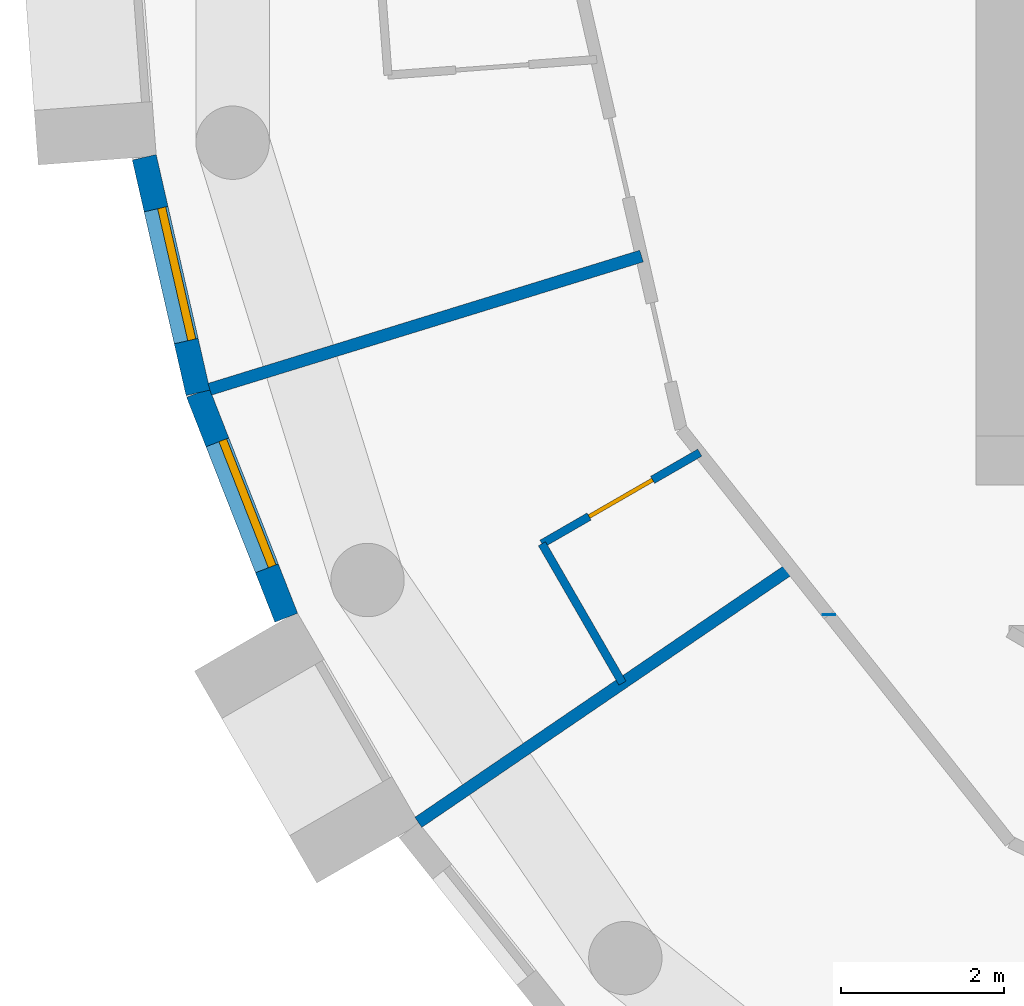
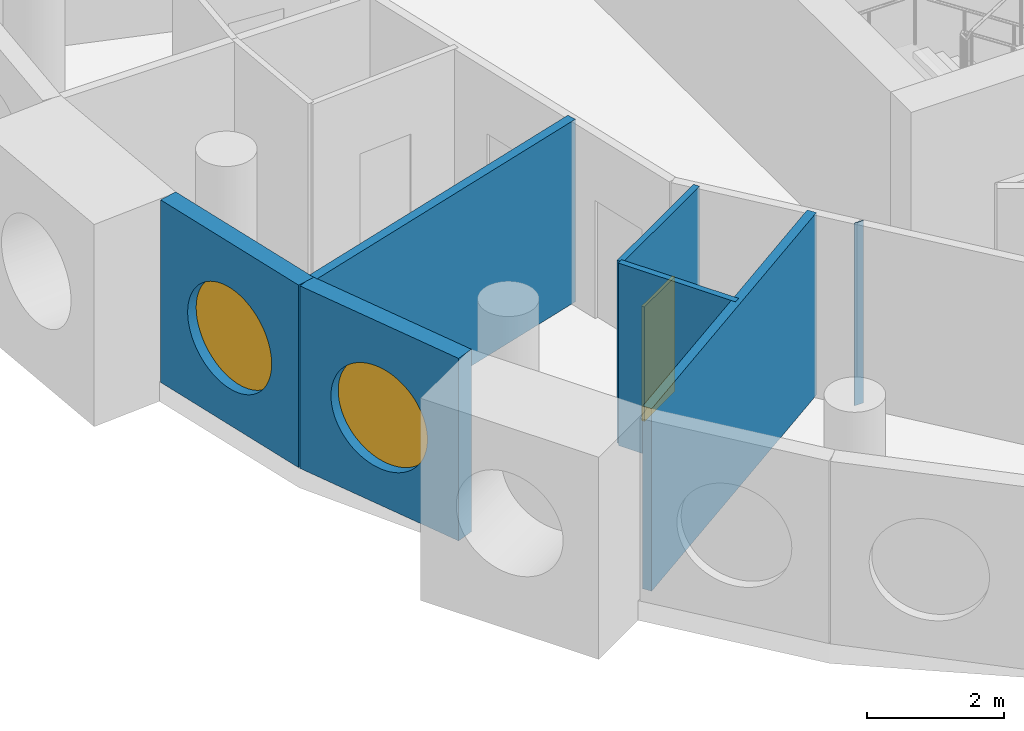
# One storey, part 2 of 12: 7 walls, 2 windows, 1 door, 3 openings.
"""IFC4 building model written with IfcOpenShell, lengths in metres."""

from ifc_helpers import new_model, si_unit, direction, frame, frame_2d, origin, origin_2d, place, context, subcontext, project, spatial, rectangle, circle, extrude, material, layer, layer_set, type_object, element, fill, save


model = new_model("IFC4")

# Units and contexts
model_context = context("Model", 3, precision=1e-05, world=origin(), true_north=direction((0.0, 1.0)))
body_context = subcontext(model_context, "Body", "Model", "MODEL_VIEW")
ifc_project = project(units=[si_unit("LENGTHUNIT", "METRE"), si_unit("AREAUNIT", "SQUARE_METRE"), si_unit("VOLUMEUNIT", "CUBIC_METRE"), si_unit("PLANEANGLEUNIT", "RADIAN"), si_unit("MASSUNIT", "GRAM", prefix="KILO")], contexts=[model_context])

# Site, building, storey
site_placement = place(None, origin())
site = spatial("IfcSite", under=ifc_project, at=site_placement, CompositionType="ELEMENT")
building_placement = place(site_placement, origin())
building = spatial("IfcBuilding", under=site, at=building_placement, Name="Tracery Tower", CompositionType="ELEMENT")
storey_placement = place(building_placement, frame((0.0, 0.0, 312.60009765625)))
storey = spatial("IfcBuildingStorey", under=building, at=storey_placement, Name="L81", CompositionType="ELEMENT", Elevation=312.60009765625)

# Wall, opening, window
ifc_material_1 = material(Name="Precast concrete C50/60", Category="concrete")
ifc_layer_1 = layer(ifc_material_1, 0.300048828125)
ifc_layer_set_1 = layer_set([ifc_layer_1], Name="Facade panel 3000 x 3250")
wall_type_1 = type_object("IfcWallType", Name="Facade panel 3000 x 3250", PredefinedType="SOLIDWALL", material=ifc_layer_set_1)
wall_1_placement = place(storey_placement, frame((-19.69580078125, -2.984130859375, 0.0), z_axis=(0.0, 0.0, 1.0), x_axis=(0.222529389789, -0.974925982155, 0.0)))
wall_1 = element("IfcWall", 1, at=wall_1_placement, inside=storey, type_object=wall_type_1, Name="Facade panel 23 at L81", PredefinedType="SOLIDWALL", context=body_context, shape_type="SweptSolid", body=[
    extrude(rectangle(XDim=2.962158203125, YDim=0.300048828125, at=frame_2d((1.48095703125, 0.0))), origin(), (0.0, 0.0, 1.0), 3.25),
])
opening_1_placement = place(wall_1_placement, frame((1.48095703125, 0.0, 1.5498046875)))
opening_1 = element("IfcOpeningElement", 2, at=opening_1_placement, cuts=wall_1, Name="Opening WN1", PredefinedType="OPENING", context=body_context, shape_type="SweptSolid", body=[
    extrude(circle(Radius=0.9000244140625, at=origin_2d()), frame((0.0, 0.159912109375, 0.0), z_axis=(0.0, -1.0, 0.0), x_axis=(1.0, 0.0, 0.0)), (0.0, 0.0, 1.0), 0.320068359375),
])
ifc_material_2 = material(Name="Aluminium frame with tinted double glazing", Category="aluminium")
window_type = type_object("IfcWindowType", Name="Round window 1800", PartitioningType="SINGLE_PANEL", PredefinedType="WINDOW", material=ifc_material_2)
window_1_placement = place(opening_1_placement, origin())
window_1 = element("IfcWindow", 3, at=window_1_placement, inside=storey, type_object=window_type, Name="Round window 23 at L81", OverallHeight=1.800048828125, OverallWidth=1.800048828125, PartitioningType="SINGLE_PANEL", PredefinedType="WINDOW", context=body_context, shape_type="SweptSolid", body=[
    extrude(circle(Radius=0.9000244140625, at=origin_2d()), frame((0.0, 0.1201171875, 0.0), z_axis=(0.0, -1.0, 0.0), x_axis=(1.0, 0.0, 0.0)), (0.0, 0.0, 1.0), 0.10009765625),
])
fill(opening_1, window_1)

wall_2_placement = place(storey_placement, frame((-19.03662109375, -5.8720703125, 0.0), z_axis=(0.0, 0.0, 1.0), x_axis=(0.36530043032, -0.930889679612, 0.0)))
wall_2 = element("IfcWall", 4, at=wall_2_placement, inside=storey, type_object=wall_type_1, Name="Facade panel 24 at L81", PredefinedType="SOLIDWALL", context=body_context, shape_type="SweptSolid", body=[
    extrude(rectangle(XDim=2.9619140625, YDim=0.300048828125, at=frame_2d((1.48095703125, 0.0))), origin(), (0.0, 0.0, 1.0), 3.25),
])
opening_2_placement = place(wall_2_placement, frame((1.48095703125, 0.0, 1.5498046875)))
opening_2 = element("IfcOpeningElement", 5, at=opening_2_placement, cuts=wall_2, Name="Opening WN1", PredefinedType="OPENING", context=body_context, shape_type="SweptSolid", body=[
    extrude(circle(Radius=0.9000244140625, at=origin_2d()), frame((0.0, 0.159912109375, 0.0), z_axis=(0.0, -1.0, 0.0), x_axis=(1.0, 0.0, 0.0)), (0.0, 0.0, 1.0), 0.320068359375),
])
window_2_placement = place(opening_2_placement, origin())
window_2 = element("IfcWindow", 6, at=window_2_placement, inside=storey, type_object=window_type, Name="Round window 24 at L81", OverallHeight=1.800048828125, OverallWidth=1.800048828125, PartitioningType="SINGLE_PANEL", PredefinedType="WINDOW", context=body_context, shape_type="SweptSolid", body=[
    extrude(circle(Radius=0.9000244140625, at=origin_2d()), frame((0.0, 0.1201171875, 0.0), z_axis=(0.0, -1.0, 0.0), x_axis=(1.0, 0.0, 0.0)), (0.0, 0.0, 1.0), 0.10009765625),
])
fill(opening_2, window_2)

# Wall, opening, door
ifc_material_3 = material(Name="Plasterboard on steel studs", Category="steel")
ifc_layer_2 = layer(ifc_material_3, 0.10009765625)
ifc_layer_set_2 = layer_set([ifc_layer_2], Name="Partition 100 wet wall")
wall_type_2 = type_object("IfcWallType", Name="Partition 100 wet wall", PredefinedType="PARTITIONING", material=ifc_layer_set_2)
wall_3_placement = place(storey_placement, frame((-14.820068359375, -7.721923828125, 0.0), z_axis=(0.0, 0.0, 1.0), x_axis=(0.866076416361, 0.499911633214, 0.0)))
wall_3 = element("IfcWall", 7, at=wall_3_placement, inside=storey, type_object=wall_type_2, Name="Wet wall RC8-082", PredefinedType="PARTITIONING", context=body_context, shape_type="SweptSolid", body=[
    extrude(rectangle(XDim=2.234375, YDim=0.10009765625, at=frame_2d((1.1171875, 0.0))), origin(), (0.0, 0.0, 1.0), 3.25),
])
opening_3_placement = place(wall_3_placement, frame((0.667236328125, 0.0, 0.0)))
opening_3 = element("IfcOpeningElement", 8, at=opening_3_placement, cuts=wall_3, Name="Opening RC8-27", PredefinedType="OPENING", context=body_context, shape_type="SweptSolid", body=[
    extrude(rectangle(XDim=0.89990234375, YDim=2.0400390625, at=frame_2d((0.449951171875, 1.02001953125))), frame((0.0, 0.050048828125, 0.0), z_axis=(0.0, -1.0, 0.0), x_axis=(1.0, 0.0, 0.0)), (0.0, 0.0, 1.0), 0.10009765625),
])
ifc_material_4 = material(Name="Timber door leaf", Category="wood")
door_type = type_object("IfcDoorType", Name="Door en-suite 900", OperationType="NOTDEFINED", PredefinedType="DOOR", material=ifc_material_4)
door_placement = place(opening_3_placement, origin())
door = element("IfcDoor", 9, at=door_placement, inside=storey, type_object=door_type, Name="En-suite door RC8-27", OperationType="SINGLE_SWING_LEFT", OverallHeight=2.0400390625, OverallWidth=0.89990234375, PredefinedType="DOOR", context=body_context, shape_type="SweptSolid", body=[
    extrude(rectangle(XDim=0.89990234375, YDim=2.0400390625, at=frame_2d((0.449951171875, 1.02001953125))), frame((0.0, 0.02490234375, 0.0), z_axis=(0.0, -1.0, 0.0), x_axis=(1.0, 0.0, 0.0)), (0.0, 0.0, 1.0), 0.050048828125),
])
fill(opening_3, door)

# Walls
wall_4_placement = place(storey_placement, frame((-14.820068359375, -7.721923828125, 0.0), z_axis=(0.0, 0.0, 1.0), x_axis=(0.500143626598, -0.865942465048, 0.0)))
element("IfcWall", 10, at=wall_4_placement, inside=storey, type_object=wall_type_2, Name="Wet wall RC8-083", PredefinedType="PARTITIONING", context=body_context, shape_type="SweptSolid", body=[
    extrude(rectangle(XDim=1.9736328125, YDim=0.10009765625, at=frame_2d((0.98681640625, 0.0))), origin(), (0.0, 0.0, 1.0), 3.25),
])
ifc_material_5 = material(Name="Plasterboard on steel studs", Category="steel")
ifc_layer_3 = layer(ifc_material_5, 0.14990234375)
ifc_layer_set_3 = layer_set([ifc_layer_3], Name="Partition 150 acoustic unit wall")
wall_type_3 = type_object("IfcWallType", Name="Partition 150 acoustic unit wall", PredefinedType="PARTITIONING", material=ifc_layer_set_3)
wall_5_placement = place(storey_placement, frame((-18.89306640625, -5.827880859375, 0.0), z_axis=(0.0, 0.0, 1.0), x_axis=(0.955580602693, 0.294729896274, 0.0)))
element("IfcWall", 11, at=wall_5_placement, inside=storey, type_object=wall_type_3, Name="Unit wall RC8-081", PredefinedType="PARTITIONING", context=body_context, shape_type="SweptSolid", body=[
    extrude(rectangle(XDim=5.5400390625, YDim=0.14990234375, at=frame_2d((2.77001953125, 0.0))), origin(), (0.0, 0.0, 1.0), 3.25),
])
wall_6_placement = place(storey_placement, frame((-16.3359375, -11.137939453125, 0.0), z_axis=(0.0, 0.0, 1.0), x_axis=(0.82615274451, 0.563446219917, 0.0)))
element("IfcWall", 12, at=wall_6_placement, inside=storey, type_object=wall_type_3, Name="Unit wall RC8-084", PredefinedType="PARTITIONING", context=body_context, shape_type="SweptSolid", body=[
    extrude(rectangle(XDim=5.539794921875, YDim=0.14990234375, at=frame_2d((2.77001953125, 0.0))), origin(), (0.0, 0.0, 1.0), 3.25),
])
ifc_material_6 = material(Name="Plasterboard on steel studs", Category="steel")
ifc_layer_4 = layer(ifc_material_6, 0.14990234375)
ifc_layer_set_4 = layer_set([ifc_layer_4], Name="Partition 150 corridor wall")
wall_type_4 = type_object("IfcWallType", Name="Partition 150 corridor wall", PredefinedType="PARTITIONING", material=ifc_layer_set_4)
wall_7_placement = place(storey_placement, frame((-11.300048828125, -8.59619140625, 0.0), z_axis=(0.0, 0.0, 1.0), x_axis=(0.0, 1.0, 0.0)))
element("IfcWall", 13, at=wall_7_placement, inside=storey, type_object=wall_type_4, Name="Corridor wall RC8-016", PredefinedType="PARTITIONING", context=body_context, shape_type="SweptSolid", body=[
    extrude(rectangle(XDim=0.00927734375, YDim=0.14990234375, at=frame_2d((0.004638671875, 0.0))), origin(), (0.0, 0.0, 1.0), 3.25),
])

save(model, "model.ifc")
